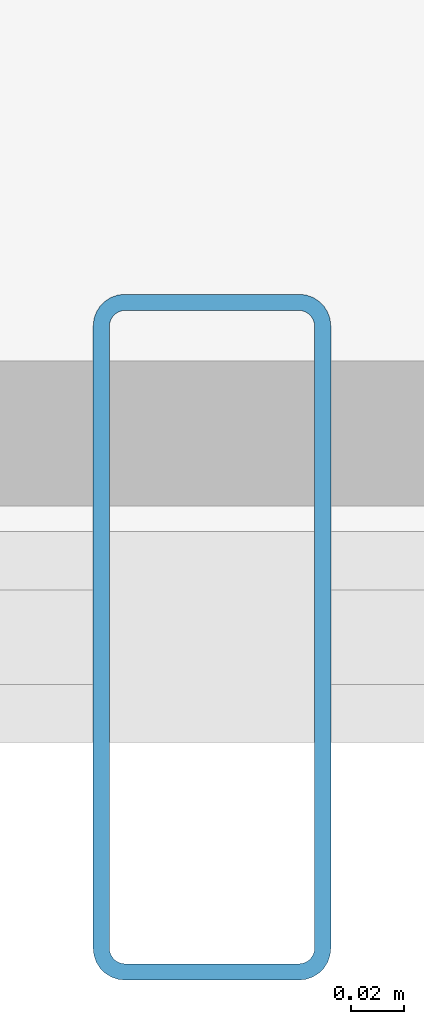
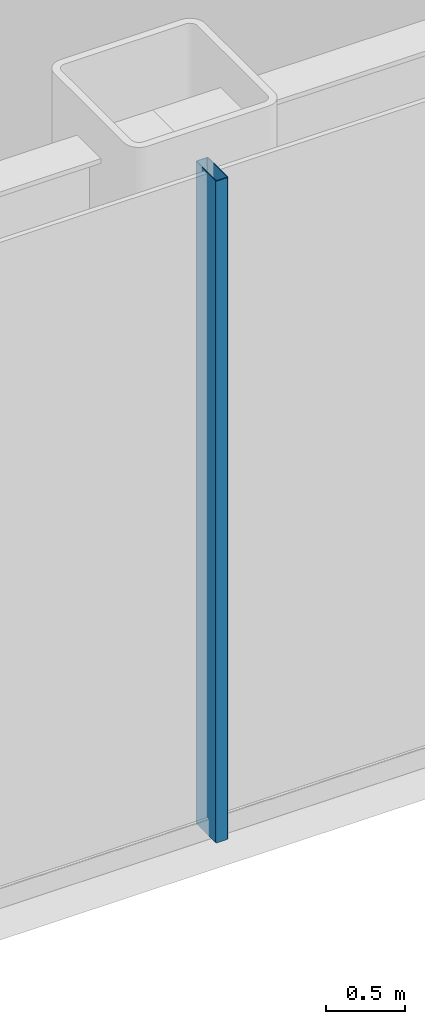
# One storey, part 6 of 24: 1 member, 1 element without a shape of its own.
"""IFC4 building model written with IfcOpenShell, lengths in metres."""

from ifc_helpers import new_model, si_unit, direction, frame, origin, origin_2d, place, context, subcontext, project, spatial, hollow_rectangle, extrude, source, transform, mapped, material, layer, layer_set, material_profile, profile_set, type_object, element, aggregate, save


model = new_model("IFC4")

# Units and contexts
model_context = context("Model", 3, precision=1e-05, world=origin(), true_north=direction((0.0, 1.0)))
body_context = subcontext(model_context, "Body", "Model", "MODEL_VIEW")
ifc_project = project(units=[si_unit("LENGTHUNIT", "METRE"), si_unit("AREAUNIT", "SQUARE_METRE"), si_unit("VOLUMEUNIT", "CUBIC_METRE"), si_unit("PLANEANGLEUNIT", "RADIAN"), si_unit("MASSUNIT", "GRAM", prefix="KILO")], contexts=[model_context])

# Site, building, storey
site_placement = place(None, origin())
site = spatial("IfcSite", under=ifc_project, at=site_placement, CompositionType="ELEMENT")
building_placement = place(site_placement, origin())
building = spatial("IfcBuilding", under=site, at=building_placement, Name="Nefas-Gora Pilgrimage Tower", CompositionType="ELEMENT")
storey_placement = place(building_placement, frame((0.0, 0.0, 16.800048828125)))
storey = spatial("IfcBuildingStorey", under=building, at=storey_placement, Name="L03", CompositionType="ELEMENT", Elevation=16.800048828125)

# Curtain wall, member
ifc_material_1 = material(Name="Dark ceramic-fritted solar-control aluminium-glass curtain wall", Category="aluminium")
ifc_layer = layer(ifc_material_1, 0.219970703125)
ifc_layer_set = layer_set([ifc_layer], Name="Dark ceramic-fritted solar-control aluminium-glass curtain wall")
curtain_wall_type = type_object("IfcCurtainWallType", Name="CW-SYS-1", PredefinedType="NOTDEFINED", material=ifc_layer_set)
curtain_wall_placement = place(storey_placement, origin())
curtain_wall = element("IfcCurtainWall", 1, at=curtain_wall_placement, inside=storey, type_object=curtain_wall_type, Name="L03 Unitised Curtain Wall CW1", PredefinedType="NOTDEFINED")
ifc_material_2 = material(Name="Anodised architectural aluminium", Category="aluminium")
ifc_material_profile = material_profile(ifc_material_2, hollow_rectangle(XDim=0.090087890625, YDim=0.260009765625, WallThickness=0.006103515625, InnerFilletRadius=0.006103515625, OuterFilletRadius=0.011962890625, at=origin_2d()), Name="ALU MULLION 90x260")
ifc_profile_set = profile_set([ifc_material_profile], Name="Anodised architectural aluminium")
member_type = type_object("IfcMemberType", Name="CWM-MUL-1", PredefinedType="MULLION", material=ifc_profile_set)
shared_shape = source(origin(), body_context, "Body", "SweptSolid", [
    extrude(hollow_rectangle(XDim=0.090087890625, YDim=0.260009765625, WallThickness=0.006103515625, InnerFilletRadius=0.006103515625, OuterFilletRadius=0.011962890625, at=origin_2d()), origin(), (0.0, 0.0, 1.0), 5.099853515625),
])
member_placement = place(storey_placement, frame((0.0, -25.199951171875, 0.0), z_axis=(0.0, 0.0, 1.0), x_axis=(1.0, 0.0, 0.0)))
member = element("IfcMember", 2, at=member_placement, type_object=member_type, Name="CW1 Mullion 2", PredefinedType="MULLION", context=body_context, shape_type="MappedRepresentation", body=[
    mapped(shared_shape, transform((0.0, 0.0, 0.0), x_axis=(1.0, 0.0, 0.0), y_axis=(0.0, 1.0, 0.0), z_axis=(0.0, 0.0, 1.0), scale=1.0)),
])
aggregate(curtain_wall, [member])

save(model, "model.ifc")
